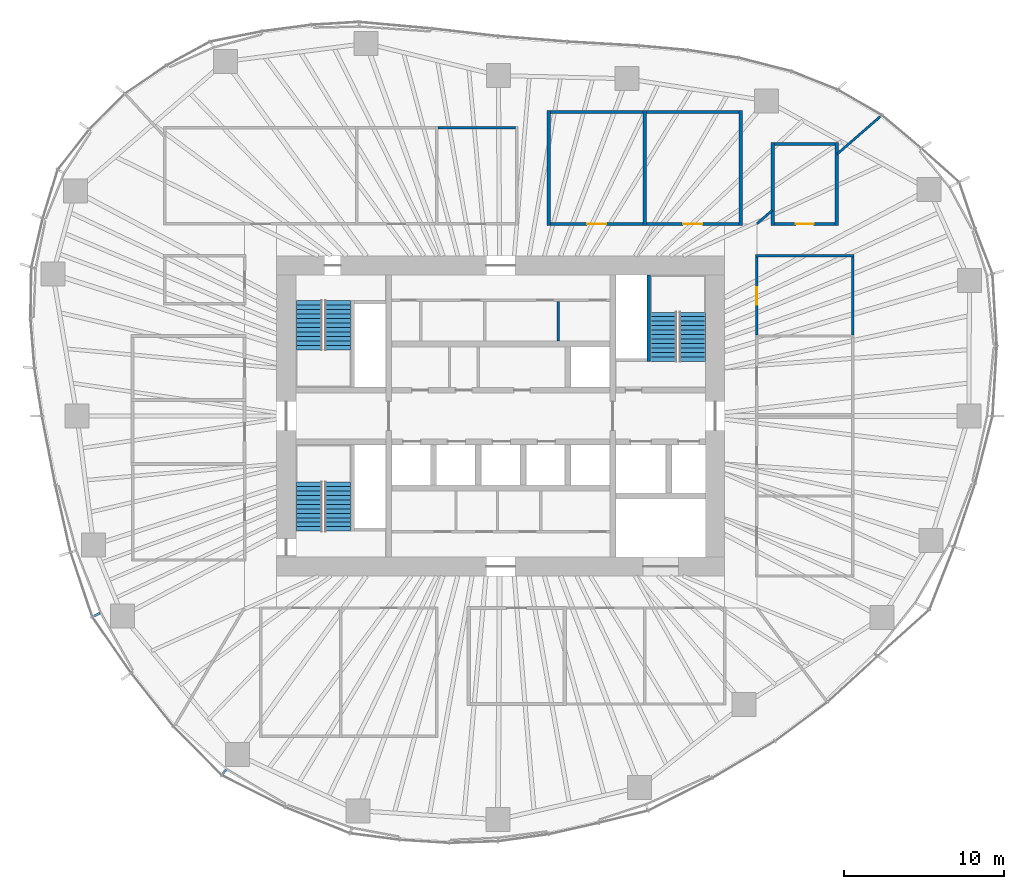
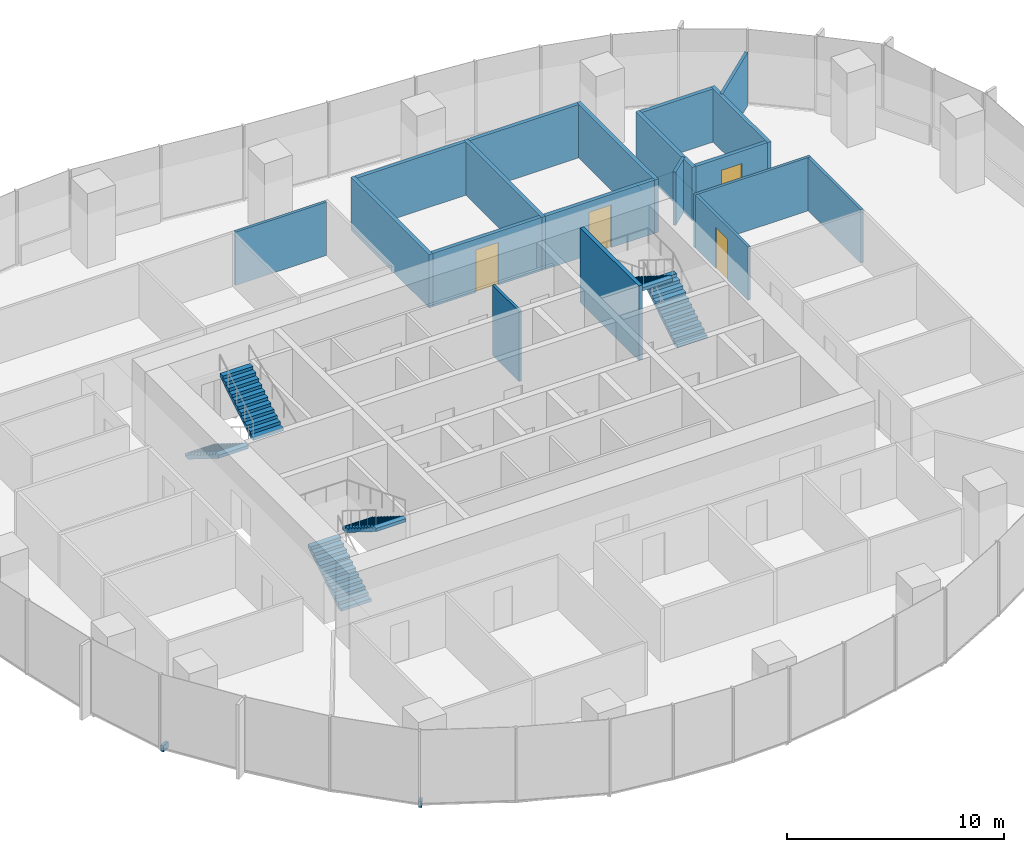
# One storey, part 11 of 18: 19 walls, 6 stair flights, 4 doors, 2 discrete accessories, 4 openings, 3 elements without a shape of their own.
"""IFC4 building model written with IfcOpenShell, lengths in metres."""

from ifc_helpers import new_model, si_unit, direction, frame, frame_2d, origin, origin_2d, place, context, subcontext, project, spatial, polyline, rectangle, outline, extrude, material, layer, layer_set, type_object, element, fill, aggregate, save


model = new_model("IFC4")

# Units and contexts
model_context = context("Model", 3, precision=1e-05, world=origin(), true_north=direction((0.0, 1.0)))
body_context = subcontext(model_context, "Body", "Model", "MODEL_VIEW")
ifc_project = project(units=[si_unit("LENGTHUNIT", "METRE"), si_unit("AREAUNIT", "SQUARE_METRE"), si_unit("VOLUMEUNIT", "CUBIC_METRE"), si_unit("PLANEANGLEUNIT", "RADIAN"), si_unit("MASSUNIT", "GRAM", prefix="KILO")], contexts=[model_context])

# Site, building, storey
site_placement = place(None, origin())
site = spatial("IfcSite", under=ifc_project, at=site_placement, CompositionType="ELEMENT")
building_placement = place(site_placement, origin())
building = spatial("IfcBuilding", under=site, at=building_placement, Name="Ghaith Harvest Tower", CompositionType="ELEMENT")
storey_placement = place(building_placement, frame((0.0, 0.0, 130.199951171875)))
storey = spatial("IfcBuildingStorey", under=building, at=storey_placement, Name="L27", CompositionType="ELEMENT", Elevation=130.199951171875)

# Walls
ifc_material_1 = material(Name="Twin-stud gypsum board, acoustic", Category="gypsum")
ifc_layer_1 = layer(ifc_material_1, 0.199951171875)
ifc_layer_set_1 = layer_set([ifc_layer_1], Name="ACOUSTIC PARTITION 200")
wall_type_1 = type_object("IfcWallType", Name="ACOUSTIC PARTITION 200", PredefinedType="PARTITIONING", material=ifc_layer_set_1)
for number, where, z_axis, x_axis, name in (
    (1, (3.0, 11.89990234375, 0.0), (0.0, 0.0, 1.0), (0.0, 1.0, 0.0), "Partition L27 row N2 cross wall 1"),
    (2, (9.0, 11.89990234375, 0.0), (0.0, 0.0, 1.0), (0.0, 1.0, 0.0), "Partition L27 row N2 cross wall 2"),
    (3, (15.0, 11.89990234375, 0.0), (0.0, 0.0, 1.0), (0.0, 1.0, 0.0), "Partition L27 row N2 cross wall 3"),
):
    element("IfcWall", number, at=place(storey_placement, frame(where, z_axis=z_axis, x_axis=x_axis)), inside=storey, type_object=wall_type_1, Name=name, PredefinedType="PARTITIONING", context=body_context, shape_type="SweptSolid", body=[
        extrude(rectangle(XDim=7.2001953125, YDim=0.199951171875, at=frame_2d((3.60009765625, 0.0))), origin(), (0.0, 0.0, 1.0), 3.0),
    ])

# Wall, opening, door
wall_1_placement = place(storey_placement, frame((3.10009765625, 12.0, 0.0), z_axis=(0.0, 0.0, 1.0), x_axis=(1.0, 0.0, 0.0)))
wall_1 = element("IfcWall", 4, at=wall_1_placement, inside=storey, type_object=wall_type_1, Name="Partition L27-04", PredefinedType="PARTITIONING", context=body_context, shape_type="SweptSolid", body=[
    extrude(rectangle(XDim=5.7998046875, YDim=0.199951171875, at=frame_2d((2.89990234375, 0.0))), origin(), (0.0, 0.0, 1.0), 3.0),
])
opening_1_placement = place(wall_1_placement, frame((2.300048828125, 0.0, 0.0)))
opening_1 = element("IfcOpeningElement", 5, at=opening_1_placement, cuts=wall_1, Name="Opening 27-031", PredefinedType="OPENING", context=body_context, shape_type="SweptSolid", body=[
    extrude(rectangle(XDim=1.199951171875, YDim=2.39990234375, at=frame_2d((0.60009765625, 1.199951171875))), frame((0.0, 0.10986328125, 0.0), z_axis=(0.0, -1.0, 0.0), x_axis=(1.0, 0.0, 0.0)), (0.0, 0.0, 1.0), 0.219970703125),
])
ifc_material_2 = material(Name="Timber door", Category="wood")
door_type_1 = type_object("IfcDoorType", Name="D11 GLAZED 1200x2400", OperationType="SINGLE_SWING_LEFT", PredefinedType="DOOR", material=ifc_material_2)
door_1_placement = place(opening_1_placement, origin())
door_1 = element("IfcDoor", 6, at=door_1_placement, inside=storey, type_object=door_type_1, Name="Meeting room door", OperationType="SINGLE_SWING_LEFT", OverallHeight=2.39990234375, OverallWidth=1.199951171875, PredefinedType="DOOR", context=body_context, shape_type="SweptSolid", body=[
    extrude(rectangle(XDim=1.199951171875, YDim=2.39990234375, at=frame_2d((0.60009765625, 1.199951171875))), frame((0.0, 0.02490234375, 0.0), z_axis=(0.0, -1.0, 0.0), x_axis=(1.0, 0.0, 0.0)), (0.0, 0.0, 1.0), 0.050048828125),
])
fill(opening_1, door_1)

# Wall
wall_2_placement = place(storey_placement, frame((3.10009765625, 19.0, 0.0), z_axis=(0.0, 0.0, 1.0), x_axis=(1.0, 0.0, 0.0)))
element("IfcWall", 7, at=wall_2_placement, inside=storey, type_object=wall_type_1, Name="Partition L27-04", PredefinedType="PARTITIONING", context=body_context, shape_type="SweptSolid", body=[
    extrude(rectangle(XDim=5.7998046875, YDim=0.199951171875, at=frame_2d((2.89990234375, 0.0))), origin(), (0.0, 0.0, 1.0), 3.0),
])

# Wall, opening, door
wall_3_placement = place(storey_placement, frame((9.10009765625, 12.0, 0.0), z_axis=(0.0, 0.0, 1.0), x_axis=(1.0, 0.0, 0.0)))
wall_3 = element("IfcWall", 8, at=wall_3_placement, inside=storey, type_object=wall_type_1, Name="Partition L27-05", PredefinedType="PARTITIONING", context=body_context, shape_type="SweptSolid", body=[
    extrude(rectangle(XDim=5.7998046875, YDim=0.199951171875, at=frame_2d((2.89990234375, 0.0))), origin(), (0.0, 0.0, 1.0), 3.0),
])
opening_2_placement = place(wall_3_placement, frame((2.300048828125, 0.0, 0.0)))
opening_2 = element("IfcOpeningElement", 9, at=opening_2_placement, cuts=wall_3, Name="Opening 27-032", PredefinedType="OPENING", context=body_context, shape_type="SweptSolid", body=[
    extrude(rectangle(XDim=1.199951171875, YDim=2.39990234375, at=frame_2d((0.60009765625, 1.199951171875))), frame((0.0, 0.10986328125, 0.0), z_axis=(0.0, -1.0, 0.0), x_axis=(1.0, 0.0, 0.0)), (0.0, 0.0, 1.0), 0.219970703125),
])
door_2_placement = place(opening_2_placement, origin())
door_2 = element("IfcDoor", 10, at=door_2_placement, inside=storey, type_object=door_type_1, Name="Meeting room door", OperationType="SINGLE_SWING_LEFT", OverallHeight=2.39990234375, OverallWidth=1.199951171875, PredefinedType="DOOR", context=body_context, shape_type="SweptSolid", body=[
    extrude(rectangle(XDim=1.199951171875, YDim=2.39990234375, at=frame_2d((0.60009765625, 1.199951171875))), frame((0.0, 0.02490234375, 0.0), z_axis=(0.0, -1.0, 0.0), x_axis=(1.0, 0.0, 0.0)), (0.0, 0.0, 1.0), 0.050048828125),
])
fill(opening_2, door_2)

# Walls
wall_4_placement = place(storey_placement, frame((9.10009765625, 19.0, 0.0), z_axis=(0.0, 0.0, 1.0), x_axis=(1.0, 0.0, 0.0)))
element("IfcWall", 11, at=wall_4_placement, inside=storey, type_object=wall_type_1, Name="Partition L27-05", PredefinedType="PARTITIONING", context=body_context, shape_type="SweptSolid", body=[
    extrude(rectangle(XDim=5.7998046875, YDim=0.199951171875, at=frame_2d((2.89990234375, 0.0))), origin(), (0.0, 0.0, 1.0), 3.0),
])
for number, where, z_axis, x_axis, name in (
    (12, (17.0, 11.89990234375, 0.0), (0.0, 0.0, 1.0), (0.0, 1.0, 0.0), "Partition L27 row N7 cross wall 1"),
    (13, (21.0, 11.89990234375, 0.0), (0.0, 0.0, 1.0), (0.0, 1.0, 0.0), "Partition L27 row N7 cross wall 2"),
):
    element("IfcWall", number, at=place(storey_placement, frame(where, z_axis=z_axis, x_axis=x_axis)), inside=storey, type_object=wall_type_1, Name=name, PredefinedType="PARTITIONING", context=body_context, shape_type="SweptSolid", body=[
        extrude(rectangle(XDim=5.2001953125, YDim=0.199951171875, at=frame_2d((2.60009765625, 0.0))), origin(), (0.0, 0.0, 1.0), 3.0),
    ])

# Wall, opening, door
wall_5_placement = place(storey_placement, frame((17.10009765625, 12.0, 0.0), z_axis=(0.0, 0.0, 1.0), x_axis=(1.0, 0.0, 0.0)))
wall_5 = element("IfcWall", 14, at=wall_5_placement, inside=storey, type_object=wall_type_1, Name="Partition L27-18", PredefinedType="PARTITIONING", context=body_context, shape_type="SweptSolid", body=[
    extrude(rectangle(XDim=3.7998046875, YDim=0.199951171875, at=frame_2d((1.89990234375, 0.0))), origin(), (0.0, 0.0, 1.0), 3.0),
])
opening_3_placement = place(wall_5_placement, frame((1.35009765625, 0.0, 0.0)))
opening_3 = element("IfcOpeningElement", 15, at=opening_3_placement, cuts=wall_5, Name="Opening 27-045", PredefinedType="OPENING", context=body_context, shape_type="SweptSolid", body=[
    extrude(rectangle(XDim=1.10009765625, YDim=2.300048828125, at=frame_2d((0.550048828125, 1.14990234375))), frame((0.0, 0.10986328125, 0.0), z_axis=(0.0, -1.0, 0.0), x_axis=(1.0, 0.0, 0.0)), (0.0, 0.0, 1.0), 0.219970703125),
])
ifc_material_3 = material(Name="Timber-framed glazed door", Category="wood")
door_type_2 = type_object("IfcDoorType", Name="D12 GLAZED OFFICE 1100x2300", OperationType="SINGLE_SWING_LEFT", PredefinedType="DOOR", material=ifc_material_3)
door_3_placement = place(opening_3_placement, origin())
door_3 = element("IfcDoor", 16, at=door_3_placement, inside=storey, type_object=door_type_2, Name="Focus room door", OperationType="SINGLE_SWING_LEFT", OverallHeight=2.300048828125, OverallWidth=1.10009765625, PredefinedType="DOOR", context=body_context, shape_type="SweptSolid", body=[
    extrude(rectangle(XDim=1.10009765625, YDim=2.300048828125, at=frame_2d((0.550048828125, 1.14990234375))), frame((0.0, 0.02490234375, 0.0), z_axis=(0.0, -1.0, 0.0), x_axis=(1.0, 0.0, 0.0)), (0.0, 0.0, 1.0), 0.050048828125),
])
fill(opening_3, door_3)

# Walls
wall_6_placement = place(storey_placement, frame((17.10009765625, 17.0, 0.0), z_axis=(0.0, 0.0, 1.0), x_axis=(1.0, 0.0, 0.0)))
element("IfcWall", 17, at=wall_6_placement, inside=storey, type_object=wall_type_1, Name="Partition L27-18", PredefinedType="PARTITIONING", context=body_context, shape_type="SweptSolid", body=[
    extrude(rectangle(XDim=3.7998046875, YDim=0.199951171875, at=frame_2d((1.89990234375, 0.0))), origin(), (0.0, 0.0, 1.0), 3.0),
])
ifc_material_4 = material(Name="Concrete blockwork, fair-faced", Category="masonry")
ifc_layer_2 = layer(ifc_material_4, 0.139892578125)
ifc_layer_set_2 = layer_set([ifc_layer_2], Name="CORE PARTITION 140")
wall_type_2 = type_object("IfcWallType", Name="CORE PARTITION 140", PredefinedType="PARTITIONING", material=ifc_layer_set_2)
wall_7_placement = place(storey_placement, frame((3.60009765625, 4.699951171875, 0.0), z_axis=(0.0, 0.0, 1.0), x_axis=(0.0, 1.0, 0.0)))
element("IfcWall", 18, at=wall_7_placement, inside=storey, type_object=wall_type_2, Name="Core partition L27", PredefinedType="PARTITIONING", context=body_context, shape_type="SweptSolid", body=[
    extrude(rectangle(XDim=2.4599609375, YDim=0.139892578125, at=frame_2d((1.22998046875, 0.0))), origin(), (0.0, 0.0, 1.0), 3.949951171875),
])
ifc_material_5 = material(Name="Gypsum board on steel studs", Category="steel")
ifc_layer_3 = layer(ifc_material_5, 0.14990234375)
ifc_layer_set_3 = layer_set([ifc_layer_3], Name="PARTITION 150")
wall_type_3 = type_object("IfcWallType", Name="PARTITION 150", PredefinedType="PARTITIONING", material=ifc_layer_set_3)
wall_8_placement = place(storey_placement, frame((-3.925048828125, 18.0, 0.0), z_axis=(0.0, 0.0, 1.0), x_axis=(1.0, 0.0, 0.0)))
element("IfcWall", 19, at=wall_8_placement, inside=storey, type_object=wall_type_3, Name="Partition L27-03", PredefinedType="PARTITIONING", context=body_context, shape_type="SweptSolid", body=[
    extrude(rectangle(XDim=4.85009765625, YDim=0.14990234375, at=frame_2d((2.425048828125, 0.0))), origin(), (0.0, 0.0, 1.0), 3.0),
])
wall_9_placement = place(storey_placement, frame((15.925048828125, 10.0, 0.0), z_axis=(0.0, 0.0, 1.0), x_axis=(1.0, 0.0, 0.0)))
element("IfcWall", 20, at=wall_9_placement, inside=storey, type_object=wall_type_3, Name="Partition L27 row E3 cross wall 5", PredefinedType="PARTITIONING", context=body_context, shape_type="SweptSolid", body=[
    extrude(rectangle(XDim=6.14990234375, YDim=0.14990234375, at=frame_2d((3.074951171875, 0.0))), origin(), (0.0, 0.0, 1.0), 3.0),
])

# Wall, opening, door
wall_10_placement = place(storey_placement, frame((16.0, 5.074951171875, 0.0), z_axis=(0.0, 0.0, 1.0), x_axis=(0.0, 1.0, 0.0)))
wall_10 = element("IfcWall", 21, at=wall_10_placement, inside=storey, type_object=wall_type_3, Name="Partition L27-09", PredefinedType="PARTITIONING", context=body_context, shape_type="SweptSolid", body=[
    extrude(rectangle(XDim=4.85009765625, YDim=0.14990234375, at=frame_2d((2.425048828125, 0.0))), origin(), (0.0, 0.0, 1.0), 3.0),
])
opening_4_placement = place(wall_10_placement, frame((1.875, 0.0, 0.0)))
opening_4 = element("IfcOpeningElement", 22, at=opening_4_placement, cuts=wall_10, Name="Opening 27-036", PredefinedType="OPENING", context=body_context, shape_type="SweptSolid", body=[
    extrude(rectangle(XDim=1.10009765625, YDim=2.300048828125, at=frame_2d((0.550048828125, 1.14990234375))), frame((0.0, 0.0849609375, 0.0), z_axis=(0.0, -1.0, 0.0), x_axis=(1.0, 0.0, 0.0)), (0.0, 0.0, 1.0), 0.169921875),
])
door_4_placement = place(opening_4_placement, origin())
door_4 = element("IfcDoor", 23, at=door_4_placement, inside=storey, type_object=door_type_2, Name="Office door", OperationType="SINGLE_SWING_LEFT", OverallHeight=2.300048828125, OverallWidth=1.10009765625, PredefinedType="DOOR", context=body_context, shape_type="SweptSolid", body=[
    extrude(rectangle(XDim=1.10009765625, YDim=2.300048828125, at=frame_2d((0.550048828125, 1.14990234375))), frame((0.0, 0.02490234375, 0.0), z_axis=(0.0, -1.0, 0.0), x_axis=(1.0, 0.0, 0.0)), (0.0, 0.0, 1.0), 0.050048828125),
])
fill(opening_4, door_4)

# Walls
wall_11_placement = place(storey_placement, frame((22.0, 5.074951171875, 0.0), z_axis=(0.0, 0.0, 1.0), x_axis=(0.0, 1.0, 0.0)))
element("IfcWall", 24, at=wall_11_placement, inside=storey, type_object=wall_type_3, Name="Partition L27-09", PredefinedType="PARTITIONING", context=body_context, shape_type="SweptSolid", body=[
    extrude(rectangle(XDim=4.85009765625, YDim=0.14990234375, at=frame_2d((2.425048828125, 0.0))), origin(), (0.0, 0.0, 1.0), 3.0),
])
wall_12_placement = place(storey_placement, frame((21.02001953125, 16.364013671875, 0.0), z_axis=(0.0, 0.0, 1.0), x_axis=(0.75467183248, 0.656102450278, 0.0)))
element("IfcWall", 25, at=wall_12_placement, inside=storey, type_object=wall_type_3, Name="Partition L27 zone division", PredefinedType="PARTITIONING", context=body_context, shape_type="SweptSolid", body=[
    extrude(rectangle(XDim=3.566650390625, YDim=0.14990234375, at=frame_2d((1.783203125, 0.0))), origin(), (0.0, 0.0, 1.0), 3.0),
])
wall_13_placement = place(storey_placement, frame((16.01513671875, 12.01318359375, 0.0), z_axis=(0.0, 0.0, 1.0), x_axis=(0.754654851831, 0.656121981501, 0.0)))
element("IfcWall", 26, at=wall_13_placement, inside=storey, type_object=wall_type_3, Name="Partition L27 zone division", PredefinedType="PARTITIONING", context=body_context, shape_type="SweptSolid", body=[
    extrude(rectangle(XDim=1.278564453125, YDim=0.14990234375, at=frame_2d((0.63916015625, 0.0))), origin(), (0.0, 0.0, 1.0), 3.0),
])
ifc_material_6 = material(Name="Concrete C40/50", Category="concrete")
ifc_layer_4 = layer(ifc_material_6, 0.199951171875)
ifc_layer_set_4 = layer_set([ifc_layer_4], Name="STAIR SPINE WALL RC200")
wall_type_4 = type_object("IfcWallType", Name="STAIR SPINE WALL RC200", PredefinedType="SOLIDWALL", material=ifc_layer_set_4)
wall_14_placement = place(storey_placement, frame((9.25, 3.39990234375, 0.0), z_axis=(0.0, 0.0, 1.0), x_axis=(0.0, 1.0, 0.0)))
element("IfcWall", 27, at=wall_14_placement, inside=storey, type_object=wall_type_4, Name="Stair ST2 spine wall L27", PredefinedType="SOLIDWALL", context=body_context, shape_type="SweptSolid", body=[
    extrude(rectangle(XDim=5.400146484375, YDim=0.199951171875, at=frame_2d((2.7001953125, 0.0))), origin(), (0.0, 0.0, 1.0), 4.199951171875),
])

# Stair, stair flights
ifc_material_7 = material(Name="Concrete C40/50, precast", Category="concrete")
stair_type = type_object("IfcStairType", Name="CORE STAIR 24R", PredefinedType="HALF_TURN_STAIR", material=ifc_material_7)
stair_1_placement = place(storey_placement, origin())
stair_1 = element("IfcStair", 28, at=stair_1_placement, inside=storey, type_object=stair_type, Name="Stair ST1 L27", PredefinedType="HALF_TURN_STAIR")
ifc_material_8 = material(Name="Concrete C40/50, precast", Category="concrete")
stair_flight_type = type_object("IfcStairFlightType", Name="CORE FLIGHT 12R 1600", PredefinedType="STRAIGHT", material=ifc_material_8)
stair_flight_1_placement = place(storey_placement, frame((-12.0, 7.199951171875, 0.0), z_axis=(0.0, 0.0, 1.0), x_axis=(0.0, -1.0, 0.0)))
stair_flight_1 = element("IfcStairFlight", 29, at=stair_flight_1_placement, type_object=stair_flight_type, Name="ST1 flight 1", NumberOfRisers=12, NumberOfTreads=11, PredefinedType="STRAIGHT", RiserHeight=0.175, TreadLength=0.28, context=body_context, shape_type="SweptSolid", body=[
    extrude(outline(polyline([(0.0, 0.0), (0.0, 0.175048828125), (0.280029296875, 0.175048828125), (0.280029296875, 0.35009765625), (0.56005859375, 0.35009765625), (0.56005859375, 0.52490234375), (0.840087890625, 0.52490234375), (0.840087890625, 0.699951171875), (1.1201171875, 0.699951171875), (1.1201171875, 0.875), (1.39990234375, 0.875), (1.39990234375, 1.050048828125), (1.679931640625, 1.050048828125), (1.679931640625, 1.22509765625), (1.9599609375, 1.22509765625), (1.9599609375, 1.39990234375), (2.239990234375, 1.39990234375), (2.239990234375, 1.574951171875), (2.52001953125, 1.574951171875), (2.52001953125, 1.75), (2.800048828125, 1.75), (2.800048828125, 1.925048828125), (3.080078125, 1.925048828125), (3.080078125, 2.10009765625), (3.080078125, 1.748291015625), (0.28271484375, 0.0), (0.0, 0.0)])), frame((0.0, 0.800048828125, 0.0), z_axis=(0.0, -1.0, 0.0), x_axis=(1.0, 0.0, 0.0)), (0.0, 0.0, 1.0), 1.60009765625),
])
stair_flight_2_placement = place(storey_placement, frame((-10.14990234375, 4.1201171875, 2.10009765625), z_axis=(0.0, 0.0, 1.0), x_axis=(0.0, 1.0, 0.0)))
stair_flight_2 = element("IfcStairFlight", 30, at=stair_flight_2_placement, type_object=stair_flight_type, Name="ST1 flight 2", NumberOfRisers=12, NumberOfTreads=11, PredefinedType="STRAIGHT", RiserHeight=0.175, TreadLength=0.28, context=body_context, shape_type="SweptSolid", body=[
    extrude(outline(polyline([(0.0, 0.0), (0.0, 0.175048828125), (0.280029296875, 0.175048828125), (0.280029296875, 0.35009765625), (0.56005859375, 0.35009765625), (0.56005859375, 0.52490234375), (0.840087890625, 0.52490234375), (0.840087890625, 0.699951171875), (1.1201171875, 0.699951171875), (1.1201171875, 0.875), (1.39990234375, 0.875), (1.39990234375, 1.050048828125), (1.679931640625, 1.050048828125), (1.679931640625, 1.22509765625), (1.9599609375, 1.22509765625), (1.9599609375, 1.39990234375), (2.239990234375, 1.39990234375), (2.239990234375, 1.574951171875), (2.52001953125, 1.574951171875), (2.52001953125, 1.75), (2.800048828125, 1.75), (2.800048828125, 1.925048828125), (3.080078125, 1.925048828125), (3.080078125, 2.10009765625), (3.080078125, 1.748291015625), (0.28271484375, 0.0), (0.0, 0.0)])), frame((0.0, 0.800048828125, 0.0), z_axis=(0.0, -1.0, 0.0), x_axis=(1.0, 0.0, 0.0)), (0.0, 0.0, 1.0), 1.60009765625),
])
aggregate(stair_1, [stair_flight_1, stair_flight_2])

stair_2_placement = place(storey_placement, origin())
stair_2 = element("IfcStair", 31, at=stair_2_placement, inside=storey, type_object=stair_type, Name="Stair ST3 L27", PredefinedType="HALF_TURN_STAIR")
stair_flight_3_placement = place(storey_placement, frame((-12.0, -7.199951171875, 0.0), z_axis=(0.0, 0.0, 1.0), x_axis=(0.0, 1.0, 0.0)))
stair_flight_3 = element("IfcStairFlight", 32, at=stair_flight_3_placement, type_object=stair_flight_type, Name="ST3 flight 1", NumberOfRisers=12, NumberOfTreads=11, PredefinedType="STRAIGHT", RiserHeight=0.175, TreadLength=0.28, context=body_context, shape_type="SweptSolid", body=[
    extrude(outline(polyline([(0.0, 0.0), (0.0, 0.175048828125), (0.280029296875, 0.175048828125), (0.280029296875, 0.35009765625), (0.56005859375, 0.35009765625), (0.56005859375, 0.52490234375), (0.840087890625, 0.52490234375), (0.840087890625, 0.699951171875), (1.1201171875, 0.699951171875), (1.1201171875, 0.875), (1.39990234375, 0.875), (1.39990234375, 1.050048828125), (1.679931640625, 1.050048828125), (1.679931640625, 1.22509765625), (1.9599609375, 1.22509765625), (1.9599609375, 1.39990234375), (2.239990234375, 1.39990234375), (2.239990234375, 1.574951171875), (2.52001953125, 1.574951171875), (2.52001953125, 1.75), (2.800048828125, 1.75), (2.800048828125, 1.925048828125), (3.080078125, 1.925048828125), (3.080078125, 2.10009765625), (3.080078125, 1.748291015625), (0.28271484375, 0.0), (0.0, 0.0)])), frame((0.0, 0.800048828125, 0.0), z_axis=(0.0, -1.0, 0.0), x_axis=(1.0, 0.0, 0.0)), (0.0, 0.0, 1.0), 1.60009765625),
])
stair_flight_4_placement = place(storey_placement, frame((-10.14990234375, -4.1201171875, 2.10009765625), z_axis=(0.0, 0.0, 1.0), x_axis=(0.0, -1.0, 0.0)))
stair_flight_4 = element("IfcStairFlight", 33, at=stair_flight_4_placement, type_object=stair_flight_type, Name="ST3 flight 2", NumberOfRisers=12, NumberOfTreads=11, PredefinedType="STRAIGHT", RiserHeight=0.175, TreadLength=0.28, context=body_context, shape_type="SweptSolid", body=[
    extrude(outline(polyline([(0.0, 0.0), (0.0, 0.175048828125), (0.280029296875, 0.175048828125), (0.280029296875, 0.35009765625), (0.56005859375, 0.35009765625), (0.56005859375, 0.52490234375), (0.840087890625, 0.52490234375), (0.840087890625, 0.699951171875), (1.1201171875, 0.699951171875), (1.1201171875, 0.875), (1.39990234375, 0.875), (1.39990234375, 1.050048828125), (1.679931640625, 1.050048828125), (1.679931640625, 1.22509765625), (1.9599609375, 1.22509765625), (1.9599609375, 1.39990234375), (2.239990234375, 1.39990234375), (2.239990234375, 1.574951171875), (2.52001953125, 1.574951171875), (2.52001953125, 1.75), (2.800048828125, 1.75), (2.800048828125, 1.925048828125), (3.080078125, 1.925048828125), (3.080078125, 2.10009765625), (3.080078125, 1.748291015625), (0.28271484375, 0.0), (0.0, 0.0)])), frame((0.0, 0.800048828125, 0.0), z_axis=(0.0, -1.0, 0.0), x_axis=(1.0, 0.0, 0.0)), (0.0, 0.0, 1.0), 1.60009765625),
])
aggregate(stair_2, [stair_flight_3, stair_flight_4])

stair_3_placement = place(storey_placement, origin())
stair_3 = element("IfcStair", 34, at=stair_3_placement, inside=storey, type_object=stair_type, Name="Stair ST2 L27", PredefinedType="HALF_TURN_STAIR")
stair_flight_5_placement = place(storey_placement, frame((12.0, 3.39990234375, 0.0), z_axis=(0.0, 0.0, 1.0), x_axis=(0.0, 1.0, 0.0)))
stair_flight_5 = element("IfcStairFlight", 35, at=stair_flight_5_placement, type_object=stair_flight_type, Name="ST2 flight 1", NumberOfRisers=12, NumberOfTreads=11, PredefinedType="STRAIGHT", RiserHeight=0.175, TreadLength=0.28, context=body_context, shape_type="SweptSolid", body=[
    extrude(outline(polyline([(0.0, 0.0), (0.0, 0.175048828125), (0.280029296875, 0.175048828125), (0.280029296875, 0.35009765625), (0.56005859375, 0.35009765625), (0.56005859375, 0.52490234375), (0.840087890625, 0.52490234375), (0.840087890625, 0.699951171875), (1.1201171875, 0.699951171875), (1.1201171875, 0.875), (1.39990234375, 0.875), (1.39990234375, 1.050048828125), (1.679931640625, 1.050048828125), (1.679931640625, 1.22509765625), (1.9599609375, 1.22509765625), (1.9599609375, 1.39990234375), (2.239990234375, 1.39990234375), (2.239990234375, 1.574951171875), (2.52001953125, 1.574951171875), (2.52001953125, 1.75), (2.800048828125, 1.75), (2.800048828125, 1.925048828125), (3.080078125, 1.925048828125), (3.080078125, 2.10009765625), (3.080078125, 1.748291015625), (0.28271484375, 0.0), (0.0, 0.0)])), frame((0.0, 0.800048828125, 0.0), z_axis=(0.0, -1.0, 0.0), x_axis=(1.0, 0.0, 0.0)), (0.0, 0.0, 1.0), 1.60009765625),
])
stair_flight_6_placement = place(storey_placement, frame((10.14990234375, 6.47998046875, 2.10009765625), z_axis=(0.0, 0.0, 1.0), x_axis=(0.0, -1.0, 0.0)))
stair_flight_6 = element("IfcStairFlight", 36, at=stair_flight_6_placement, type_object=stair_flight_type, Name="ST2 flight 2", NumberOfRisers=12, NumberOfTreads=11, PredefinedType="STRAIGHT", RiserHeight=0.175, TreadLength=0.28, context=body_context, shape_type="SweptSolid", body=[
    extrude(outline(polyline([(0.0, 0.0), (0.0, 0.175048828125), (0.280029296875, 0.175048828125), (0.280029296875, 0.35009765625), (0.56005859375, 0.35009765625), (0.56005859375, 0.52490234375), (0.840087890625, 0.52490234375), (0.840087890625, 0.699951171875), (1.1201171875, 0.699951171875), (1.1201171875, 0.875), (1.39990234375, 0.875), (1.39990234375, 1.050048828125), (1.679931640625, 1.050048828125), (1.679931640625, 1.22509765625), (1.9599609375, 1.22509765625), (1.9599609375, 1.39990234375), (2.239990234375, 1.39990234375), (2.239990234375, 1.574951171875), (2.52001953125, 1.574951171875), (2.52001953125, 1.75), (2.800048828125, 1.75), (2.800048828125, 1.925048828125), (3.080078125, 1.925048828125), (3.080078125, 2.10009765625), (3.080078125, 1.748291015625), (0.28271484375, 0.0), (0.0, 0.0)])), frame((0.0, 0.800048828125, 0.0), z_axis=(0.0, -1.0, 0.0), x_axis=(1.0, 0.0, 0.0)), (0.0, 0.0, 1.0), 1.60009765625),
])
aggregate(stair_3, [stair_flight_5, stair_flight_6])

# Discrete accessories
ifc_material_9 = material(Name="Stainless steel grade 1.4401", Category="steel")
discrete_accessory_type_1 = type_object("IfcDiscreteAccessoryType", Name="CURTAIN WALL BRACKET 315", PredefinedType="BRACKET", material=ifc_material_9)
discrete_accessory_1_placement = place(storey_placement, frame((-17.266357421875, -22.232421875, -0.25), z_axis=(0.0, 0.0, 1.0), x_axis=(-0.613377713774, -0.789789706343, 0.0)))
element("IfcDiscreteAccessory", 37, at=discrete_accessory_1_placement, inside=storey, type_object=discrete_accessory_type_1, Name="CW-L bracket 1 bay 14 L27", PredefinedType="BRACKET", context=body_context, shape_type="SweptSolid", body=[
    extrude(rectangle(XDim=0.31494140625, YDim=0.14990234375, at=origin_2d()), origin(), (0.0, 0.0, 1.0), 0.35009765625),
])
ifc_material_10 = material(Name="Stainless steel grade 1.4401", Category="steel")
discrete_accessory_type_2 = type_object("IfcDiscreteAccessoryType", Name="CURTAIN WALL BRACKET 415", PredefinedType="BRACKET", material=ifc_material_10)
discrete_accessory_2_placement = place(storey_placement, frame((-25.228515625, -12.41796875, -0.25), z_axis=(0.0, 0.0, 1.0), x_axis=(-0.897201221415, -0.441621974421, 0.0)))
element("IfcDiscreteAccessory", 38, at=discrete_accessory_2_placement, inside=storey, type_object=discrete_accessory_type_2, Name="CW-L bracket 2 bay 12 L27", PredefinedType="BRACKET", context=body_context, shape_type="SweptSolid", body=[
    extrude(rectangle(XDim=0.4150390625, YDim=0.14990234375, at=origin_2d()), origin(), (0.0, 0.0, 1.0), 0.35009765625),
])

save(model, "model.ifc")
